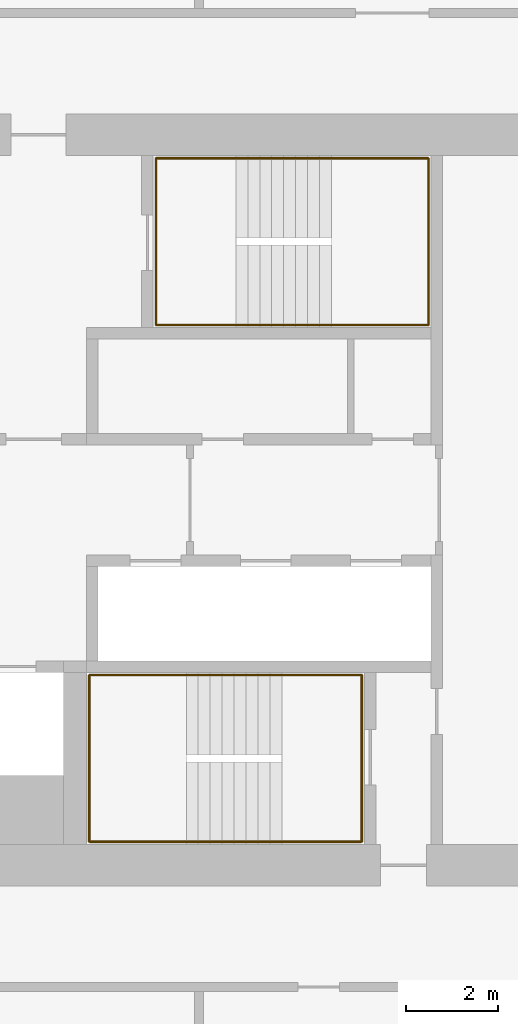
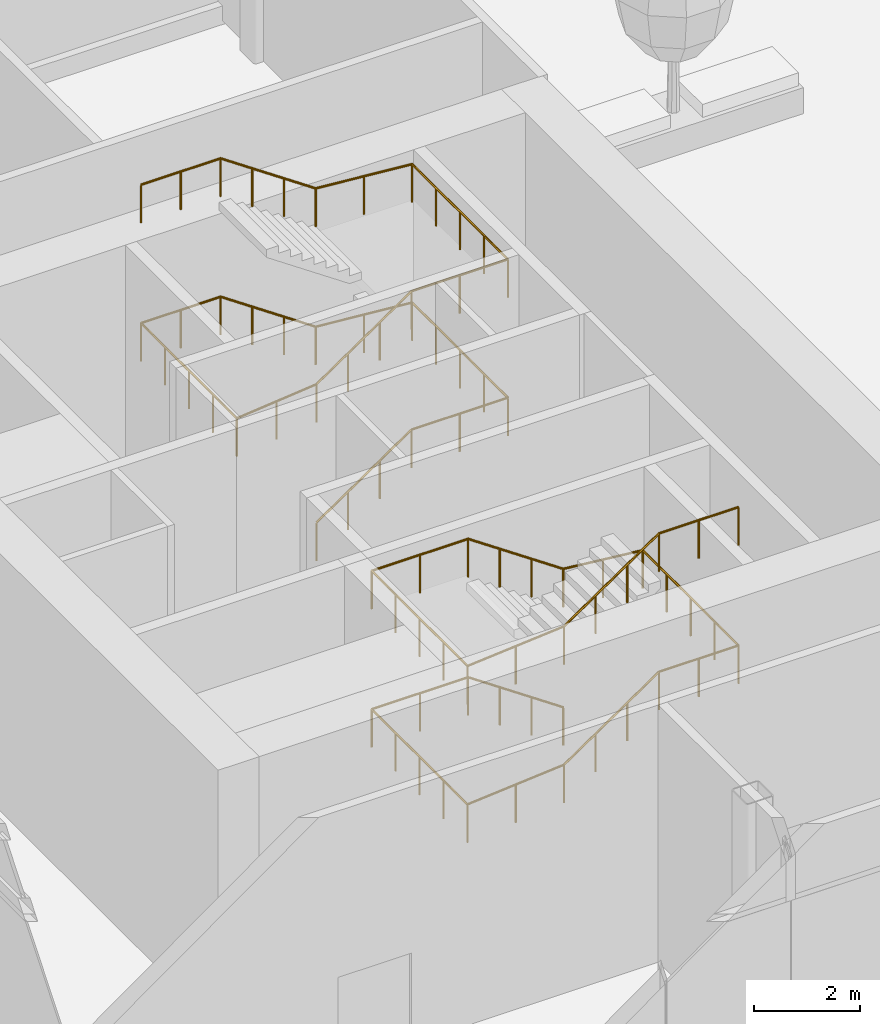
# One storey, part 31 of 41: 2 railings.
"""IFC4 building model written with IfcOpenShell, lengths in metres."""

from ifc_helpers import new_model, si_unit, direction, frame, origin, origin_2d, place, context, subcontext, project, spatial, circle, extrude, material, type_object, element, save


model = new_model("IFC4")

# Units and contexts
model_context = context("Model", 3, precision=1e-05, world=origin(), true_north=direction((0.0, 1.0)))
body_context = subcontext(model_context, "Body", "Model", "MODEL_VIEW")
ifc_project = project(units=[si_unit("LENGTHUNIT", "METRE"), si_unit("AREAUNIT", "SQUARE_METRE"), si_unit("VOLUMEUNIT", "CUBIC_METRE"), si_unit("PLANEANGLEUNIT", "RADIAN"), si_unit("MASSUNIT", "GRAM", prefix="KILO")], contexts=[model_context])

# Site, building, storey
site_placement = place(None, origin())
site = spatial("IfcSite", under=ifc_project, at=site_placement, CompositionType="ELEMENT")
building_placement = place(site_placement, origin())
building = spatial("IfcBuilding", under=site, at=building_placement, Name="Hakoniwa Tower and Hamabe Station Hall", CompositionType="ELEMENT")
storey_placement = place(building_placement, frame((0.0, 0.0, 180.199951171875)))
storey = spatial("IfcBuildingStorey", under=building, at=storey_placement, Name="L51", CompositionType="ELEMENT", Elevation=180.199951171875)

# Railings
ifc_material = material(Name="Stainless steel SUS304", Category="steel")
railing_type = type_object("IfcRailingType", Name="STAIR HANDRAIL 900", PredefinedType="HANDRAIL", material=ifc_material)
railing_1_placement = place(storey_placement, frame((-24.39990234375, 3.81005859375, 0.177734375)))
element("IfcRailing", 1, at=railing_1_placement, inside=storey, type_object=railing_type, Name="Handrail ST-1 L51 1", PredefinedType="HANDRAIL", context=body_context, shape_type="SweptSolid", body=[
    extrude(circle(Radius=0.02392578125, at=origin_2d()), frame((0.0, 0.0, 0.8759765625), z_axis=(0.825433201882, 0.0, 0.564499804456), x_axis=(0.0, 1.0, 0.0)), (0.0, 0.0, 1.0), 2.519775390625),
    extrude(circle(Radius=0.02392578125, at=origin_2d()), frame((2.079833984375, 0.0, 2.29833984375), z_axis=(1.0, 0.0, 0.0), x_axis=(0.0, 1.0, 0.0)), (0.0, 0.0, 1.0), 2.110107421875),
    extrude(circle(Radius=0.02392578125, at=origin_2d()), frame((4.18994140625, 0.0, 2.29833984375), z_axis=(0.0, 1.0, 0.0), x_axis=(-1.0, 0.0, 0.0)), (0.0, 0.0, 1.0), 3.6298828125),
    extrude(circle(Radius=0.02392578125, at=origin_2d()), frame((4.18994140625, 3.6298828125, 2.29833984375), z_axis=(-0.996471417081, 0.0, 0.083932800143), x_axis=(0.0, -1.0, 0.0)), (0.0, 0.0, 1.0), 2.11767578125),
    extrude(circle(Radius=0.02392578125, at=origin_2d()), frame((2.079833984375, 3.6298828125, 2.47607421875), z_axis=(-0.825478349766, 0.0, 0.564433781827), x_axis=(0.0, -1.0, 0.0)), (0.0, 0.0, 1.0), 2.51953125),
    extrude(circle(Radius=0.02392578125, at=origin_2d()), frame((0.0, 3.6298828125, 3.89794921875), z_axis=(-1.0, 0.0, 0.0), x_axis=(0.0, -1.0, 0.0)), (0.0, 0.0, 1.0), 1.739990234375),
    extrude(circle(Radius=0.02392578125, at=origin_2d()), frame((-1.739990234375, 3.6298828125, 3.89794921875), z_axis=(0.0, -1.0, 0.0), x_axis=(1.0, 0.0, 0.0)), (0.0, 0.0, 1.0), 3.6298828125),
    extrude(circle(Radius=0.02392578125, at=origin_2d()), frame((-1.739990234375, 0.0, 3.89794921875), z_axis=(0.994809372355, 0.0, 0.10175614318), x_axis=(0.0, 1.0, 0.0)), (0.0, 0.0, 1.0), 1.7490234375),
    extrude(circle(Radius=0.02392578125, at=origin_2d()), frame((0.0, 0.0, 4.076171875), z_axis=(0.825478349766, 0.0, 0.564433781827), x_axis=(0.0, 1.0, 0.0)), (0.0, 0.0, 1.0), 2.51953125),
    extrude(circle(Radius=0.02392578125, at=origin_2d()), frame((2.079833984375, 0.0, 5.498046875), z_axis=(1.0, 0.0, 0.0), x_axis=(0.0, 1.0, 0.0)), (0.0, 0.0, 1.0), 2.110107421875),
    extrude(circle(Radius=0.02392578125, at=origin_2d()), frame((4.18994140625, 0.0, 5.498046875), z_axis=(0.0, 1.0, 0.0), x_axis=(-1.0, 0.0, 0.0)), (0.0, 0.0, 1.0), 3.6298828125),
    extrude(circle(Radius=0.02392578125, at=origin_2d()), frame((4.18994140625, 3.6298828125, 5.498046875), z_axis=(-0.996471417081, 0.0, 0.083932800143), x_axis=(0.0, -1.0, 0.0)), (0.0, 0.0, 1.0), 2.11767578125),
    extrude(circle(Radius=0.02392578125, at=origin_2d()), frame((2.079833984375, 3.6298828125, 5.67578125), z_axis=(-0.825433201882, 0.0, 0.564499804456), x_axis=(0.0, -1.0, 0.0)), (0.0, 0.0, 1.0), 2.519775390625),
    extrude(circle(Radius=0.02392578125, at=origin_2d()), frame((0.0, 3.6298828125, 7.09814453125), z_axis=(-1.0, 0.0, 0.0), x_axis=(0.0, -1.0, 0.0)), (0.0, 0.0, 1.0), 1.739990234375),
    extrude(circle(Radius=0.02099609375, at=origin_2d()), origin(), (0.0, 0.0, 1.0), 0.851806640625),
    extrude(circle(Radius=0.02099609375, at=origin_2d()), frame((0.693359375, 0.0, 0.47412109375)), (0.0, 0.0, 1.0), 0.851806640625),
    extrude(circle(Radius=0.02099609375, at=origin_2d()), frame((1.386474609375, 0.0, 0.9482421875)), (0.0, 0.0, 1.0), 0.851806640625),
    extrude(circle(Radius=0.02099609375, at=origin_2d()), frame((2.079833984375, 0.0, 1.42236328125)), (0.0, 0.0, 1.0), 0.851806640625),
    extrude(circle(Radius=0.02099609375, at=origin_2d()), frame((3.134765625, 0.0, 1.42236328125)), (0.0, 0.0, 1.0), 0.851806640625),
    extrude(circle(Radius=0.02099609375, at=origin_2d()), frame((4.18994140625, 0.0, 1.42236328125)), (0.0, 0.0, 1.0), 0.851806640625),
    extrude(circle(Radius=0.02099609375, at=origin_2d()), frame((4.18994140625, 0.907470703125, 1.42236328125)), (0.0, 0.0, 1.0), 0.851806640625),
    extrude(circle(Radius=0.02099609375, at=origin_2d()), frame((4.18994140625, 1.81494140625, 1.42236328125)), (0.0, 0.0, 1.0), 0.851806640625),
    extrude(circle(Radius=0.02099609375, at=origin_2d()), frame((4.18994140625, 2.722412109375, 1.42236328125)), (0.0, 0.0, 1.0), 0.851806640625),
    extrude(circle(Radius=0.02099609375, at=origin_2d()), frame((4.18994140625, 3.6298828125, 1.42236328125)), (0.0, 0.0, 1.0), 0.851806640625),
    extrude(circle(Radius=0.02099609375, at=origin_2d()), frame((3.134765625, 3.6298828125, 1.51123046875)), (0.0, 0.0, 1.0), 0.851806640625),
    extrude(circle(Radius=0.02099609375, at=origin_2d()), frame((2.079833984375, 3.6298828125, 1.60009765625)), (0.0, 0.0, 1.0), 0.851806640625),
    extrude(circle(Radius=0.02099609375, at=origin_2d()), frame((1.386474609375, 3.6298828125, 2.07421875)), (0.0, 0.0, 1.0), 0.851806640625),
    extrude(circle(Radius=0.02099609375, at=origin_2d()), frame((0.693359375, 3.6298828125, 2.548095703125)), (0.0, 0.0, 1.0), 0.851806640625),
    extrude(circle(Radius=0.02099609375, at=origin_2d()), frame((0.0, 3.6298828125, 3.022216796875)), (0.0, 0.0, 1.0), 0.851806640625),
    extrude(circle(Radius=0.02099609375, at=origin_2d()), frame((-0.8701171875, 3.6298828125, 3.022216796875)), (0.0, 0.0, 1.0), 0.851806640625),
    extrude(circle(Radius=0.02099609375, at=origin_2d()), frame((-1.739990234375, 3.6298828125, 3.022216796875)), (0.0, 0.0, 1.0), 0.851806640625),
    extrude(circle(Radius=0.02099609375, at=origin_2d()), frame((-1.739990234375, 2.722412109375, 3.022216796875)), (0.0, 0.0, 1.0), 0.851806640625),
    extrude(circle(Radius=0.02099609375, at=origin_2d()), frame((-1.739990234375, 1.81494140625, 3.022216796875)), (0.0, 0.0, 1.0), 0.851806640625),
    extrude(circle(Radius=0.02099609375, at=origin_2d()), frame((-1.739990234375, 0.907470703125, 3.022216796875)), (0.0, 0.0, 1.0), 0.851806640625),
    extrude(circle(Radius=0.02099609375, at=origin_2d()), frame((-1.739990234375, 0.0, 3.022216796875)), (0.0, 0.0, 1.0), 0.851806640625),
    extrude(circle(Radius=0.02099609375, at=origin_2d()), frame((-0.8701171875, 0.0, 3.111328125)), (0.0, 0.0, 1.0), 0.851806640625),
    extrude(circle(Radius=0.02099609375, at=origin_2d()), frame((0.0, 0.0, 3.2001953125)), (0.0, 0.0, 1.0), 0.851806640625),
    extrude(circle(Radius=0.02099609375, at=origin_2d()), frame((0.693359375, 0.0, 3.67431640625)), (0.0, 0.0, 1.0), 0.851806640625),
    extrude(circle(Radius=0.02099609375, at=origin_2d()), frame((1.386474609375, 0.0, 4.148193359375)), (0.0, 0.0, 1.0), 0.851806640625),
    extrude(circle(Radius=0.02099609375, at=origin_2d()), frame((2.079833984375, 0.0, 4.622314453125)), (0.0, 0.0, 1.0), 0.851806640625),
    extrude(circle(Radius=0.02099609375, at=origin_2d()), frame((3.134765625, 0.0, 4.622314453125)), (0.0, 0.0, 1.0), 0.851806640625),
    extrude(circle(Radius=0.02099609375, at=origin_2d()), frame((4.18994140625, 0.0, 4.622314453125)), (0.0, 0.0, 1.0), 0.851806640625),
    extrude(circle(Radius=0.02099609375, at=origin_2d()), frame((4.18994140625, 0.907470703125, 4.622314453125)), (0.0, 0.0, 1.0), 0.851806640625),
    extrude(circle(Radius=0.02099609375, at=origin_2d()), frame((4.18994140625, 1.81494140625, 4.622314453125)), (0.0, 0.0, 1.0), 0.851806640625),
    extrude(circle(Radius=0.02099609375, at=origin_2d()), frame((4.18994140625, 2.722412109375, 4.622314453125)), (0.0, 0.0, 1.0), 0.851806640625),
    extrude(circle(Radius=0.02099609375, at=origin_2d()), frame((4.18994140625, 3.6298828125, 4.622314453125)), (0.0, 0.0, 1.0), 0.851806640625),
    extrude(circle(Radius=0.02099609375, at=origin_2d()), frame((3.134765625, 3.6298828125, 4.711181640625)), (0.0, 0.0, 1.0), 0.851806640625),
    extrude(circle(Radius=0.02099609375, at=origin_2d()), frame((2.079833984375, 3.6298828125, 4.800048828125)), (0.0, 0.0, 1.0), 0.851806640625),
    extrude(circle(Radius=0.02099609375, at=origin_2d()), frame((1.386474609375, 3.6298828125, 5.274169921875)), (0.0, 0.0, 1.0), 0.851806640625),
    extrude(circle(Radius=0.02099609375, at=origin_2d()), frame((0.693359375, 3.6298828125, 5.748291015625)), (0.0, 0.0, 1.0), 0.851806640625),
    extrude(circle(Radius=0.02099609375, at=origin_2d()), frame((0.0, 3.6298828125, 6.222412109375)), (0.0, 0.0, 1.0), 0.851806640625),
    extrude(circle(Radius=0.02099609375, at=origin_2d()), frame((-0.8701171875, 3.6298828125, 6.222412109375)), (0.0, 0.0, 1.0), 0.851806640625),
    extrude(circle(Radius=0.02099609375, at=origin_2d()), frame((-1.739990234375, 3.6298828125, 6.222412109375)), (0.0, 0.0, 1.0), 0.851806640625),
])
railing_2_placement = place(storey_placement, frame((-23.39990234375, -3.81005859375, 0.177734375)))
element("IfcRailing", 2, at=railing_2_placement, inside=storey, type_object=railing_type, Name="Handrail ST-2 L51 1", PredefinedType="HANDRAIL", context=body_context, shape_type="SweptSolid", body=[
    extrude(circle(Radius=0.02392578125, at=origin_2d()), frame((0.0, 0.0, 0.8759765625), z_axis=(-0.825464074169, 0.0, 0.564454659168), x_axis=(0.0, -1.0, 0.0)), (0.0, 0.0, 1.0), 2.519775390625),
    extrude(circle(Radius=0.02392578125, at=origin_2d()), frame((-2.080078125, 0.0, 2.29833984375), z_axis=(-1.0, 0.0, 0.0), x_axis=(0.0, -1.0, 0.0)), (0.0, 0.0, 1.0), 2.110107421875),
    extrude(circle(Radius=0.02392578125, at=origin_2d()), frame((-4.190185546875, 0.0, 2.29833984375), z_axis=(0.0, -1.0, 0.0), x_axis=(1.0, 0.0, 0.0)), (0.0, 0.0, 1.0), 3.6298828125),
    extrude(circle(Radius=0.02392578125, at=origin_2d()), frame((-4.190185546875, -3.6298828125, 2.29833984375), z_axis=(0.996471417081, 0.0, 0.083932800143), x_axis=(0.0, 1.0, 0.0)), (0.0, 0.0, 1.0), 2.11767578125),
    extrude(circle(Radius=0.02392578125, at=origin_2d()), frame((-2.080078125, -3.6298828125, 2.47607421875), z_axis=(0.82550921652, 0.0, 0.564388636881), x_axis=(0.0, 1.0, 0.0)), (0.0, 0.0, 1.0), 2.519775390625),
    extrude(circle(Radius=0.02392578125, at=origin_2d()), frame((0.0, -3.6298828125, 3.89794921875), z_axis=(1.0, 0.0, 0.0), x_axis=(0.0, 1.0, 0.0)), (0.0, 0.0, 1.0), 1.739990234375),
    extrude(circle(Radius=0.02392578125, at=origin_2d()), frame((1.739990234375, -3.6298828125, 3.89794921875), z_axis=(0.0, 1.0, 0.0), x_axis=(-1.0, 0.0, 0.0)), (0.0, 0.0, 1.0), 3.6298828125),
    extrude(circle(Radius=0.02392578125, at=origin_2d()), frame((1.739990234375, 0.0, 3.89794921875), z_axis=(-0.994809372355, 0.0, 0.10175614318), x_axis=(0.0, -1.0, 0.0)), (0.0, 0.0, 1.0), 1.7490234375),
    extrude(circle(Radius=0.02392578125, at=origin_2d()), frame((0.0, 0.0, 4.076171875), z_axis=(-0.82550921652, 0.0, 0.564388636881), x_axis=(0.0, -1.0, 0.0)), (0.0, 0.0, 1.0), 2.519775390625),
    extrude(circle(Radius=0.02392578125, at=origin_2d()), frame((-2.080078125, 0.0, 5.498046875), z_axis=(-1.0, 0.0, 0.0), x_axis=(0.0, -1.0, 0.0)), (0.0, 0.0, 1.0), 2.110107421875),
    extrude(circle(Radius=0.02392578125, at=origin_2d()), frame((-4.190185546875, 0.0, 5.498046875), z_axis=(0.0, -1.0, 0.0), x_axis=(1.0, 0.0, 0.0)), (0.0, 0.0, 1.0), 3.6298828125),
    extrude(circle(Radius=0.02392578125, at=origin_2d()), frame((-4.190185546875, -3.6298828125, 5.498046875), z_axis=(0.996471417081, 0.0, 0.083932800143), x_axis=(0.0, 1.0, 0.0)), (0.0, 0.0, 1.0), 2.11767578125),
    extrude(circle(Radius=0.02392578125, at=origin_2d()), frame((-2.080078125, -3.6298828125, 5.67578125), z_axis=(0.825464074169, 0.0, 0.564454659168), x_axis=(0.0, 1.0, 0.0)), (0.0, 0.0, 1.0), 2.519775390625),
    extrude(circle(Radius=0.02392578125, at=origin_2d()), frame((0.0, -3.6298828125, 7.09814453125), z_axis=(1.0, 0.0, 0.0), x_axis=(0.0, 1.0, 0.0)), (0.0, 0.0, 1.0), 1.739990234375),
    extrude(circle(Radius=0.02099609375, at=origin_2d()), origin(), (0.0, 0.0, 1.0), 0.851806640625),
    extrude(circle(Radius=0.02099609375, at=origin_2d()), frame((-0.693359375, 0.0, 0.47412109375)), (0.0, 0.0, 1.0), 0.851806640625),
    extrude(circle(Radius=0.02099609375, at=origin_2d()), frame((-1.38671875, 0.0, 0.9482421875)), (0.0, 0.0, 1.0), 0.851806640625),
    extrude(circle(Radius=0.02099609375, at=origin_2d()), frame((-2.080078125, 0.0, 1.42236328125)), (0.0, 0.0, 1.0), 0.851806640625),
    extrude(circle(Radius=0.02099609375, at=origin_2d()), frame((-3.13525390625, 0.0, 1.42236328125)), (0.0, 0.0, 1.0), 0.851806640625),
    extrude(circle(Radius=0.02099609375, at=origin_2d()), frame((-4.190185546875, 0.0, 1.42236328125)), (0.0, 0.0, 1.0), 0.851806640625),
    extrude(circle(Radius=0.02099609375, at=origin_2d()), frame((-4.190185546875, -0.907470703125, 1.42236328125)), (0.0, 0.0, 1.0), 0.851806640625),
    extrude(circle(Radius=0.02099609375, at=origin_2d()), frame((-4.190185546875, -1.81494140625, 1.42236328125)), (0.0, 0.0, 1.0), 0.851806640625),
    extrude(circle(Radius=0.02099609375, at=origin_2d()), frame((-4.190185546875, -2.722412109375, 1.42236328125)), (0.0, 0.0, 1.0), 0.851806640625),
    extrude(circle(Radius=0.02099609375, at=origin_2d()), frame((-4.190185546875, -3.6298828125, 1.42236328125)), (0.0, 0.0, 1.0), 0.851806640625),
    extrude(circle(Radius=0.02099609375, at=origin_2d()), frame((-3.13525390625, -3.6298828125, 1.51123046875)), (0.0, 0.0, 1.0), 0.851806640625),
    extrude(circle(Radius=0.02099609375, at=origin_2d()), frame((-2.080078125, -3.6298828125, 1.60009765625)), (0.0, 0.0, 1.0), 0.851806640625),
    extrude(circle(Radius=0.02099609375, at=origin_2d()), frame((-1.38671875, -3.6298828125, 2.07421875)), (0.0, 0.0, 1.0), 0.851806640625),
    extrude(circle(Radius=0.02099609375, at=origin_2d()), frame((-0.693359375, -3.6298828125, 2.548095703125)), (0.0, 0.0, 1.0), 0.851806640625),
    extrude(circle(Radius=0.02099609375, at=origin_2d()), frame((0.0, -3.6298828125, 3.022216796875)), (0.0, 0.0, 1.0), 0.851806640625),
    extrude(circle(Radius=0.02099609375, at=origin_2d()), frame((0.8701171875, -3.6298828125, 3.022216796875)), (0.0, 0.0, 1.0), 0.851806640625),
    extrude(circle(Radius=0.02099609375, at=origin_2d()), frame((1.739990234375, -3.6298828125, 3.022216796875)), (0.0, 0.0, 1.0), 0.851806640625),
    extrude(circle(Radius=0.02099609375, at=origin_2d()), frame((1.739990234375, -2.722412109375, 3.022216796875)), (0.0, 0.0, 1.0), 0.851806640625),
    extrude(circle(Radius=0.02099609375, at=origin_2d()), frame((1.739990234375, -1.81494140625, 3.022216796875)), (0.0, 0.0, 1.0), 0.851806640625),
    extrude(circle(Radius=0.02099609375, at=origin_2d()), frame((1.739990234375, -0.907470703125, 3.022216796875)), (0.0, 0.0, 1.0), 0.851806640625),
    extrude(circle(Radius=0.02099609375, at=origin_2d()), frame((1.739990234375, 0.0, 3.022216796875)), (0.0, 0.0, 1.0), 0.851806640625),
    extrude(circle(Radius=0.02099609375, at=origin_2d()), frame((0.8701171875, 0.0, 3.111328125)), (0.0, 0.0, 1.0), 0.851806640625),
    extrude(circle(Radius=0.02099609375, at=origin_2d()), frame((0.0, 0.0, 3.2001953125)), (0.0, 0.0, 1.0), 0.851806640625),
    extrude(circle(Radius=0.02099609375, at=origin_2d()), frame((-0.693359375, 0.0, 3.67431640625)), (0.0, 0.0, 1.0), 0.851806640625),
    extrude(circle(Radius=0.02099609375, at=origin_2d()), frame((-1.38671875, 0.0, 4.148193359375)), (0.0, 0.0, 1.0), 0.851806640625),
    extrude(circle(Radius=0.02099609375, at=origin_2d()), frame((-2.080078125, 0.0, 4.622314453125)), (0.0, 0.0, 1.0), 0.851806640625),
    extrude(circle(Radius=0.02099609375, at=origin_2d()), frame((-3.13525390625, 0.0, 4.622314453125)), (0.0, 0.0, 1.0), 0.851806640625),
    extrude(circle(Radius=0.02099609375, at=origin_2d()), frame((-4.190185546875, 0.0, 4.622314453125)), (0.0, 0.0, 1.0), 0.851806640625),
    extrude(circle(Radius=0.02099609375, at=origin_2d()), frame((-4.190185546875, -0.907470703125, 4.622314453125)), (0.0, 0.0, 1.0), 0.851806640625),
    extrude(circle(Radius=0.02099609375, at=origin_2d()), frame((-4.190185546875, -1.81494140625, 4.622314453125)), (0.0, 0.0, 1.0), 0.851806640625),
    extrude(circle(Radius=0.02099609375, at=origin_2d()), frame((-4.190185546875, -2.722412109375, 4.622314453125)), (0.0, 0.0, 1.0), 0.851806640625),
    extrude(circle(Radius=0.02099609375, at=origin_2d()), frame((-4.190185546875, -3.6298828125, 4.622314453125)), (0.0, 0.0, 1.0), 0.851806640625),
    extrude(circle(Radius=0.02099609375, at=origin_2d()), frame((-3.13525390625, -3.6298828125, 4.711181640625)), (0.0, 0.0, 1.0), 0.851806640625),
    extrude(circle(Radius=0.02099609375, at=origin_2d()), frame((-2.080078125, -3.6298828125, 4.800048828125)), (0.0, 0.0, 1.0), 0.851806640625),
    extrude(circle(Radius=0.02099609375, at=origin_2d()), frame((-1.38671875, -3.6298828125, 5.274169921875)), (0.0, 0.0, 1.0), 0.851806640625),
    extrude(circle(Radius=0.02099609375, at=origin_2d()), frame((-0.693359375, -3.6298828125, 5.748291015625)), (0.0, 0.0, 1.0), 0.851806640625),
    extrude(circle(Radius=0.02099609375, at=origin_2d()), frame((0.0, -3.6298828125, 6.222412109375)), (0.0, 0.0, 1.0), 0.851806640625),
    extrude(circle(Radius=0.02099609375, at=origin_2d()), frame((0.8701171875, -3.6298828125, 6.222412109375)), (0.0, 0.0, 1.0), 0.851806640625),
    extrude(circle(Radius=0.02099609375, at=origin_2d()), frame((1.739990234375, -3.6298828125, 6.222412109375)), (0.0, 0.0, 1.0), 0.851806640625),
])

save(model, "model.ifc")
